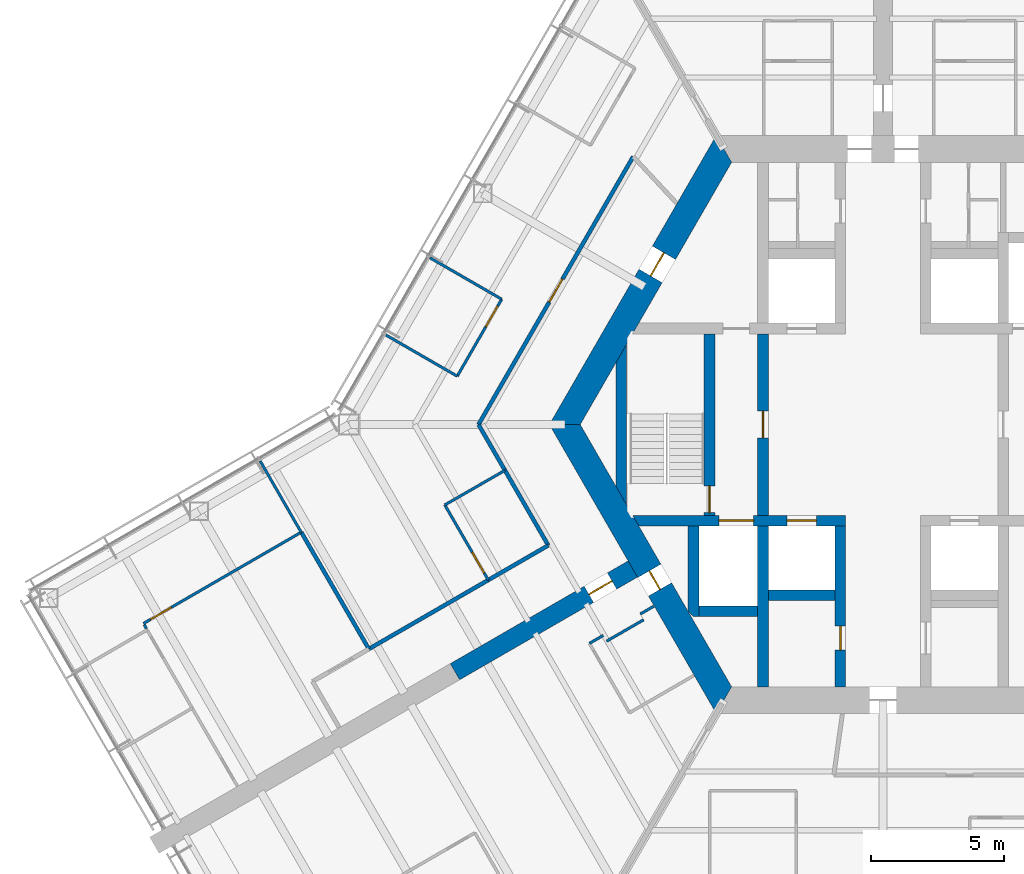
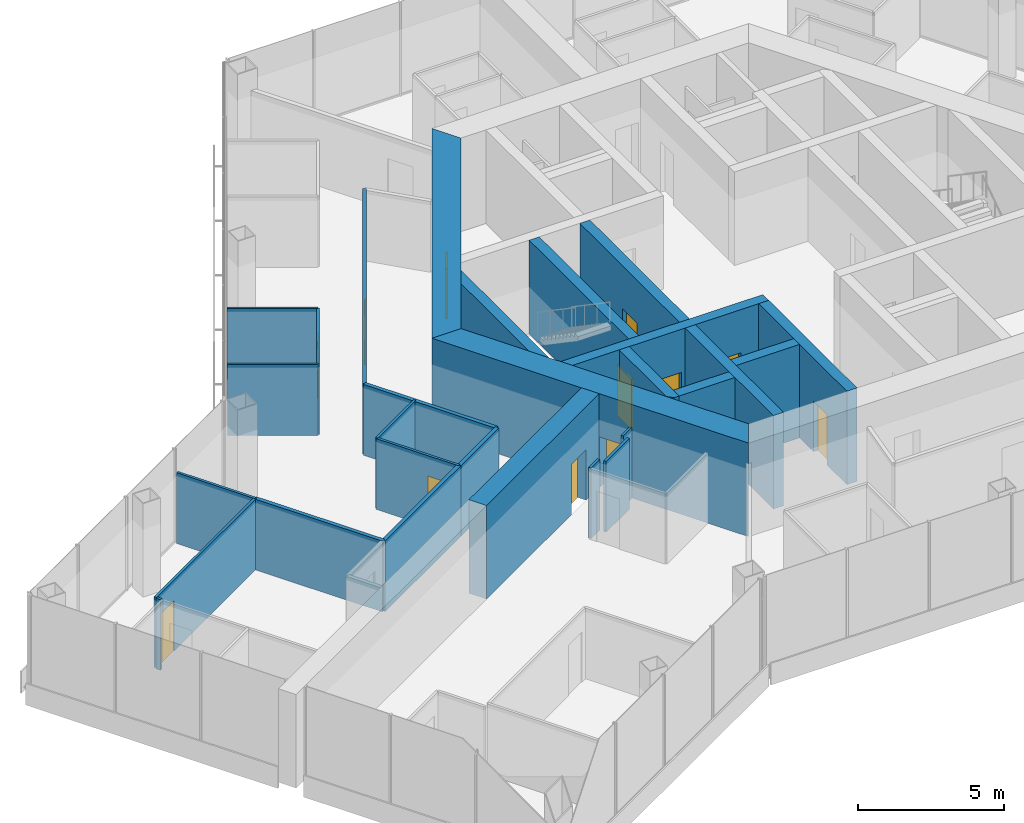
# One storey, part 12 of 19: 29 walls, 12 doors, 12 openings.
"""IFC4 building model written with IfcOpenShell, lengths in metres."""

from ifc_helpers import new_model, si_unit, direction, frame, frame_2d, origin, place, context, subcontext, project, spatial, polyline, rectangle, outline, extrude, material, layer, layer_set, type_object, element, fill, save


model = new_model("IFC4")

# Units and contexts
model_context = context("Model", 3, precision=1e-05, world=origin(), true_north=direction((0.0, 1.0)))
body_context = subcontext(model_context, "Body", "Model", "MODEL_VIEW")
ifc_project = project(units=[si_unit("LENGTHUNIT", "METRE"), si_unit("AREAUNIT", "SQUARE_METRE"), si_unit("VOLUMEUNIT", "CUBIC_METRE"), si_unit("PLANEANGLEUNIT", "RADIAN"), si_unit("MASSUNIT", "GRAM", prefix="KILO")], contexts=[model_context])

# Site, building, storey
site_placement = place(None, origin())
site = spatial("IfcSite", under=ifc_project, at=site_placement, CompositionType="ELEMENT")
building_placement = place(site_placement, origin())
building = spatial("IfcBuilding", under=site, at=building_placement, Name="Kasaneha Research Tower", CompositionType="ELEMENT")
storey_placement = place(building_placement, frame((0.0, 0.0, 164.300048828125)))
storey = spatial("IfcBuildingStorey", under=building, at=storey_placement, Name="L41", CompositionType="ELEMENT", Elevation=164.300048828125)

# Wall, openings, doors
ifc_material_1 = material(Name="Concrete Fc70", Category="concrete")
ifc_layer_1 = layer(ifc_material_1, 0.39990234375)
ifc_layer_set_1 = layer_set([ifc_layer_1], Name="Core internal wall 400 Fc70")
wall_type_1 = type_object("IfcWallType", Name="Core internal wall 400 Fc70", PredefinedType="SHEAR", material=ifc_layer_set_1)
wall_1_placement = place(storey_placement, frame((-9.266357421875, -3.60009765625, 0.0), z_axis=(0.0, 0.0, 1.0), x_axis=(1.0, 0.0, 0.0)))
wall_1 = element("IfcWall", 1, at=wall_1_placement, inside=storey, type_object=wall_type_1, Name="Core wall W2W L41", PredefinedType="SHEAR", context=body_context, shape_type="SweptSolid", body=[
    extrude(outline(polyline([(0.115478515625, -0.199951171875), (3.116455078125, -0.199951171875), (4.41650390625, -0.199951171875), (5.66650390625, -0.199951171875), (6.7666015625, -0.199951171875), (7.866455078125, -0.199951171875), (7.866455078125, 0.199951171875), (6.7666015625, 0.199951171875), (5.66650390625, 0.199951171875), (4.41650390625, 0.199951171875), (3.116455078125, 0.199951171875), (-0.115478515625, 0.199951171875), (0.115478515625, -0.199951171875)])), origin(), (0.0, 0.0, 1.0), 3.89990234375),
])
opening_1_placement = place(wall_1_placement, frame((5.66650390625, 0.0, 0.0)))
opening_1 = element("IfcOpeningElement", 2, at=opening_1_placement, cuts=wall_1, Name="Opening LD-LM3-L41", PredefinedType="OPENING", context=body_context, shape_type="SweptSolid", body=[
    extrude(rectangle(XDim=1.10009765625, YDim=2.10009765625, at=frame_2d((0.550048828125, 1.050048828125))), frame((0.0, 0.2099609375, 0.0), z_axis=(0.0, -1.0, 0.0), x_axis=(1.0, 0.0, 0.0)), (0.0, 0.0, 1.0), 0.419921875),
])
opening_2_placement = place(wall_1_placement, frame((3.116455078125, 0.0, 0.0)))
opening_2 = element("IfcOpeningElement", 3, at=opening_2_placement, cuts=wall_1, Name="Opening LD-FL2-L41", PredefinedType="OPENING", context=body_context, shape_type="SweptSolid", body=[
    extrude(rectangle(XDim=1.300048828125, YDim=2.10009765625, at=frame_2d((0.64990234375, 1.050048828125))), frame((0.0, 0.2099609375, 0.0), z_axis=(0.0, -1.0, 0.0), x_axis=(1.0, 0.0, 0.0)), (0.0, 0.0, 1.0), 0.419921875),
])
ifc_material_2 = material(Name="Steel", Category="steel")
door_type_1 = type_object("IfcDoorType", Name="Lift landing door 1100x2100", OperationType="DOUBLE_DOOR_SLIDING", PredefinedType="DOOR", material=ifc_material_2)
door_1_placement = place(opening_1_placement, origin())
door_1 = element("IfcDoor", 4, at=door_1_placement, inside=storey, type_object=door_type_1, Name="Landing door LM3 LD-LM3-L41", OperationType="DOUBLE_DOOR_SLIDING", OverallHeight=2.10009765625, OverallWidth=1.10009765625, PredefinedType="DOOR", context=body_context, shape_type="SweptSolid", body=[
    extrude(rectangle(XDim=1.10009765625, YDim=2.10009765625, at=frame_2d((0.550048828125, 1.050048828125))), frame((0.0, 0.02490234375, 0.0), z_axis=(0.0, -1.0, 0.0), x_axis=(1.0, 0.0, 0.0)), (0.0, 0.0, 1.0), 0.050048828125),
])
fill(opening_1, door_1)
ifc_material_3 = material(Name="Steel", Category="steel")
door_type_2 = type_object("IfcDoorType", Name="Lift landing door 1300x2100", OperationType="DOUBLE_DOOR_SLIDING", PredefinedType="DOOR", material=ifc_material_3)
door_2_placement = place(opening_2_placement, origin())
door_2 = element("IfcDoor", 5, at=door_2_placement, inside=storey, type_object=door_type_2, Name="Landing door FL2 LD-FL2-L41", OperationType="DOUBLE_DOOR_SLIDING", OverallHeight=2.10009765625, OverallWidth=1.300048828125, PredefinedType="DOOR", context=body_context, shape_type="SweptSolid", body=[
    extrude(rectangle(XDim=1.300048828125, YDim=2.10009765625, at=frame_2d((0.64990234375, 1.050048828125))), frame((0.0, 0.02490234375, 0.0), z_axis=(0.0, -1.0, 0.0), x_axis=(1.0, 0.0, 0.0)), (0.0, 0.0, 1.0), 0.050048828125),
])
fill(opening_2, door_2)

# Wall, opening, door
wall_2_placement = place(storey_placement, frame((-1.60009765625, -3.800048828125, 0.0), z_axis=(0.0, 0.0, 1.0), x_axis=(0.0, -1.0, 0.0)))
wall_2 = element("IfcWall", 6, at=wall_2_placement, inside=storey, type_object=wall_type_1, Name="Core wall CSW L41", PredefinedType="SHEAR", context=body_context, shape_type="SweptSolid", body=[
    extrude(rectangle(XDim=6.02490234375, YDim=0.39990234375, at=frame_2d((3.012451171875, 0.0))), origin(), (0.0, 0.0, 1.0), 3.89990234375),
])
opening_3_placement = place(wall_2_placement, frame((3.75, 0.0, 0.0)))
opening_3 = element("IfcOpeningElement", 7, at=opening_3_placement, cuts=wall_2, Name="Opening L41-D16", PredefinedType="OPENING", context=body_context, shape_type="SweptSolid", body=[
    extrude(rectangle(XDim=0.89990234375, YDim=2.10009765625, at=frame_2d((0.449951171875, 1.050048828125))), frame((0.0, 0.2099609375, 0.0), z_axis=(0.0, -1.0, 0.0), x_axis=(1.0, 0.0, 0.0)), (0.0, 0.0, 1.0), 0.419921875),
])
ifc_material_4 = material(Name="Steel", Category="steel")
door_type_3 = type_object("IfcDoorType", Name="Riser access door FD60 900x2100", OperationType="NOTDEFINED", PredefinedType="DOOR", material=ifc_material_4)
door_3_placement = place(opening_3_placement, origin())
door_3 = element("IfcDoor", 8, at=door_3_placement, inside=storey, type_object=door_type_3, Name="Electrical riser door L41-D16", OperationType="SINGLE_SWING_LEFT", OverallHeight=2.10009765625, OverallWidth=0.89990234375, PredefinedType="DOOR", context=body_context, shape_type="SweptSolid", body=[
    extrude(rectangle(XDim=0.89990234375, YDim=2.10009765625, at=frame_2d((0.449951171875, 1.050048828125))), frame((0.0, 0.02490234375, 0.0), z_axis=(0.0, -1.0, 0.0), x_axis=(1.0, 0.0, 0.0)), (0.0, 0.0, 1.0), 0.050048828125),
])
fill(opening_3, door_3)

wall_3_placement = place(storey_placement, frame((-4.5, -3.39990234375, 0.0), z_axis=(0.0, 0.0, 1.0), x_axis=(0.0, 1.0, 0.0)))
wall_3 = element("IfcWall", 9, at=wall_3_placement, inside=storey, type_object=wall_type_1, Name="Core wall LBW L41", PredefinedType="SHEAR", context=body_context, shape_type="SweptSolid", body=[
    extrude(rectangle(XDim=6.7998046875, YDim=0.39990234375, at=frame_2d((3.39990234375, 0.0))), origin(), (0.0, 0.0, 1.0), 3.89990234375),
])
opening_4_placement = place(wall_3_placement, frame((2.89990234375, 0.0, 0.0)))
opening_4 = element("IfcOpeningElement", 10, at=opening_4_placement, cuts=wall_3, Name="Opening L41-D09", PredefinedType="OPENING", context=body_context, shape_type="SweptSolid", body=[
    extrude(rectangle(XDim=1.0, YDim=2.10009765625, at=frame_2d((0.5, 1.050048828125))), frame((0.0, 0.2099609375, 0.0), z_axis=(0.0, -1.0, 0.0), x_axis=(1.0, 0.0, 0.0)), (0.0, 0.0, 1.0), 0.419921875),
])
ifc_material_5 = material(Name="Steel", Category="steel")
door_type_4 = type_object("IfcDoorType", Name="Specified fire door FD60 1000x2100", OperationType="NOTDEFINED", PredefinedType="DOOR", material=ifc_material_5)
door_4_placement = place(opening_4_placement, origin())
door_4 = element("IfcDoor", 11, at=door_4_placement, inside=storey, type_object=door_type_4, Name="Lift lobby door west L41-D09", OperationType="SINGLE_SWING_LEFT", OverallHeight=2.10009765625, OverallWidth=1.0, PredefinedType="DOOR", context=body_context, shape_type="SweptSolid", body=[
    extrude(rectangle(XDim=1.0, YDim=2.10009765625, at=frame_2d((0.5, 1.050048828125))), frame((0.0, 0.02490234375, 0.0), z_axis=(0.0, -1.0, 0.0), x_axis=(1.0, 0.0, 0.0)), (0.0, 0.0, 1.0), 0.050048828125),
])
fill(opening_4, door_4)

wall_4_placement = place(storey_placement, frame((-6.5, -3.39990234375, 0.0), z_axis=(0.0, 0.0, 1.0), x_axis=(0.0, 1.0, 0.0)))
wall_4 = element("IfcWall", 12, at=wall_4_placement, inside=storey, type_object=wall_type_1, Name="Core wall ANW L41", PredefinedType="SHEAR", context=body_context, shape_type="SweptSolid", body=[
    extrude(rectangle(XDim=6.7998046875, YDim=0.39990234375, at=frame_2d((3.39990234375, 0.0))), origin(), (0.0, 0.0, 1.0), 3.89990234375),
])
opening_5_placement = place(wall_4_placement, frame((0.10009765625, 0.0, 0.0)))
opening_5 = element("IfcOpeningElement", 13, at=opening_5_placement, cuts=wall_4, Name="Opening L41-D11", PredefinedType="OPENING", context=body_context, shape_type="SweptSolid", body=[
    extrude(rectangle(XDim=1.0, YDim=2.10009765625, at=frame_2d((0.5, 1.050048828125))), frame((0.0, 0.2099609375, 0.0), z_axis=(0.0, -1.0, 0.0), x_axis=(1.0, 0.0, 0.0)), (0.0, 0.0, 1.0), 0.419921875),
])
door_5_placement = place(opening_5_placement, origin())
door_5 = element("IfcDoor", 14, at=door_5_placement, inside=storey, type_object=door_type_4, Name="Stair 2 door L41-D11", OperationType="SINGLE_SWING_LEFT", OverallHeight=2.10009765625, OverallWidth=1.0, PredefinedType="DOOR", context=body_context, shape_type="SweptSolid", body=[
    extrude(rectangle(XDim=1.0, YDim=2.10009765625, at=frame_2d((0.5, 1.050048828125))), frame((0.0, 0.02490234375, 0.0), z_axis=(0.0, -1.0, 0.0), x_axis=(1.0, 0.0, 0.0)), (0.0, 0.0, 1.0), 0.050048828125),
])
fill(opening_5, door_5)

# Walls
wall_5_placement = place(storey_placement, frame((-4.5, -3.800048828125, 0.0), z_axis=(0.0, 0.0, 1.0), x_axis=(0.0, -1.0, 0.0)))
element("IfcWall", 15, at=wall_5_placement, inside=storey, type_object=wall_type_1, Name="Core wall SSW L41", PredefinedType="SHEAR", context=body_context, shape_type="SweptSolid", body=[
    extrude(rectangle(XDim=6.02490234375, YDim=0.39990234375, at=frame_2d((3.012451171875, 0.0))), origin(), (0.0, 0.0, 1.0), 3.89990234375),
])
wall_6_placement = place(storey_placement, frame((-4.300048828125, -6.39990234375, 0.0), z_axis=(0.0, 0.0, 1.0), x_axis=(1.0, 0.0, 0.0)))
element("IfcWall", 16, at=wall_6_placement, inside=storey, type_object=wall_type_1, Name="Core wall S1S L41", PredefinedType="SHEAR", context=body_context, shape_type="SweptSolid", body=[
    extrude(rectangle(XDim=2.5, YDim=0.39990234375, at=frame_2d((1.25, 0.0))), origin(), (0.0, 0.0, 1.0), 3.89990234375),
])
wall_7_placement = place(storey_placement, frame((-6.89990234375, -7.0, 0.0), z_axis=(0.0, 0.0, 1.0), x_axis=(1.0, 0.0, 0.0)))
element("IfcWall", 17, at=wall_7_placement, inside=storey, type_object=wall_type_1, Name="Core wall F2S L41", PredefinedType="SHEAR", context=body_context, shape_type="SweptSolid", body=[
    extrude(rectangle(XDim=2.199951171875, YDim=0.39990234375, at=frame_2d((1.10009765625, 0.0))), origin(), (0.0, 0.0, 1.0), 3.89990234375),
])
wall_8_placement = place(storey_placement, frame((-7.10009765625, -3.800048828125, 0.0), z_axis=(0.0, 0.0, 1.0), x_axis=(0.0, -1.0, 0.0)))
element("IfcWall", 18, at=wall_8_placement, inside=storey, type_object=wall_type_1, Name="Core wall F2W L41", PredefinedType="SHEAR", context=body_context, shape_type="SweptSolid", body=[
    extrude(outline(polyline([(0.0, -0.199951171875), (3.205810546875, -0.199951171875), (3.39990234375, 0.0), (3.39990234375, 0.199951171875), (0.0, 0.199951171875), (0.0, -0.199951171875)])), origin(), (0.0, 0.0, 1.0), 3.89990234375),
])
wall_9_placement = place(storey_placement, frame((-9.807861328125, -2.662353515625, 0.0), z_axis=(0.0, 0.0, 1.0), x_axis=(0.0, 1.0, 0.0)))
element("IfcWall", 19, at=wall_9_placement, inside=storey, type_object=wall_type_1, Name="Core wall STW L41", PredefinedType="SHEAR", context=body_context, shape_type="SweptSolid", body=[
    extrude(outline(polyline([(-0.346435546875, -0.199951171875), (5.671142578125, -0.199951171875), (4.978271484375, 0.199951171875), (0.346435546875, 0.199951171875), (-0.346435546875, -0.199951171875)])), origin(), (0.0, 0.0, 1.0), 3.89990234375),
])

# Wall, opening, door
ifc_material_6 = material(Name="Concrete Fc70", Category="concrete")
ifc_layer_2 = layer(ifc_material_6, 1.0)
ifc_layer_set_2 = layer_set([ifc_layer_2], Name="Core wall 1000 Fc70")
wall_type_2 = type_object("IfcWallType", Name="Core wall 1000 Fc70", PredefinedType="SHEAR", material=ifc_layer_set_2)
wall_10_placement = place(storey_placement, frame((-5.961181640625, 10.324951171875, 0.0), z_axis=(0.0, 0.0, 1.0), x_axis=(-0.500004296715, -0.866022923061, 0.0)))
wall_10 = element("IfcWall", 20, at=wall_10_placement, inside=storey, type_object=wall_type_2, Name="Core wall 150 L41", PredefinedType="SHEAR", context=body_context, shape_type="SweptSolid", body=[
    extrude(outline(polyline([(-0.28857421875, -0.5), (4.494140625, -0.5), (5.494140625, -0.5), (12.2109375, -0.5), (11.6337890625, 0.5), (5.494140625, 0.5), (4.494140625, 0.5), (0.28857421875, 0.5), (-0.28857421875, -0.5)])), origin(), (0.0, 0.0, 1.0), 3.89990234375),
])
opening_6_placement = place(wall_10_placement, frame((4.494140625, 0.0, 0.0)))
opening_6 = element("IfcOpeningElement", 21, at=opening_6_placement, cuts=wall_10, Name="Opening L41-D07", PredefinedType="OPENING", context=body_context, shape_type="SweptSolid", body=[
    extrude(rectangle(XDim=1.0, YDim=2.10009765625, at=frame_2d((0.5, 1.050048828125))), frame((0.0, 0.510009765625, 0.0), z_axis=(0.0, -1.0, 0.0), x_axis=(1.0, 0.0, 0.0)), (0.0, 0.0, 1.0), 1.02001953125),
])
ifc_material_7 = material(Name="Steel", Category="steel")
door_type_5 = type_object("IfcDoorType", Name="Fire door FD20 1000x2100", OperationType="NOTDEFINED", PredefinedType="DOOR", material=ifc_material_7)
door_6_placement = place(opening_6_placement, origin())
door_6 = element("IfcDoor", 22, at=door_6_placement, inside=storey, type_object=door_type_5, Name="Vestibule door L41-D07", OperationType="SINGLE_SWING_LEFT", OverallHeight=2.10009765625, OverallWidth=1.0, PredefinedType="DOOR", context=body_context, shape_type="SweptSolid", body=[
    extrude(rectangle(XDim=1.0, YDim=2.10009765625, at=frame_2d((0.5, 1.050048828125))), frame((0.0, 0.02490234375, 0.0), z_axis=(0.0, -1.0, 0.0), x_axis=(1.0, 0.0, 0.0)), (0.0, 0.0, 1.0), 0.050048828125),
])
fill(opening_6, door_6)

wall_11_placement = place(storey_placement, frame((-11.92236328125, 0.0, 0.0), z_axis=(0.0, 0.0, 1.0), x_axis=(0.500004296715, -0.866022923061, 0.0)))
wall_11 = element("IfcWall", 23, at=wall_11_placement, inside=storey, type_object=wall_type_2, Name="Core wall 210 L41", PredefinedType="SHEAR", context=body_context, shape_type="SweptSolid", body=[
    extrude(outline(polyline([(-0.28857421875, -0.5), (6.3310546875, -0.5), (7.131103515625, -0.5), (12.2109375, -0.5), (11.6337890625, 0.5), (7.131103515625, 0.5), (6.3310546875, 0.5), (0.28857421875, 0.5), (-0.28857421875, -0.5)])), origin(), (0.0, 0.0, 1.0), 3.89990234375),
])
opening_7_placement = place(wall_11_placement, frame((6.3310546875, 0.0, 0.0)))
opening_7 = element("IfcOpeningElement", 24, at=opening_7_placement, cuts=wall_11, Name="Opening L41-D06", PredefinedType="OPENING", context=body_context, shape_type="SweptSolid", body=[
    extrude(rectangle(XDim=0.800048828125, YDim=2.10009765625, at=frame_2d((0.39990234375, 1.050048828125))), frame((0.0, 0.510009765625, 0.0), z_axis=(0.0, -1.0, 0.0), x_axis=(1.0, 0.0, 0.0)), (0.0, 0.0, 1.0), 1.02001953125),
])
ifc_material_8 = material(Name="Steel", Category="steel")
door_type_6 = type_object("IfcDoorType", Name="Riser access door FD60 800x2100", OperationType="NOTDEFINED", PredefinedType="DOOR", material=ifc_material_8)
door_7_placement = place(opening_7_placement, origin())
door_7 = element("IfcDoor", 25, at=door_7_placement, inside=storey, type_object=door_type_6, Name="Duct riser door L41-D06", OperationType="SINGLE_SWING_RIGHT", OverallHeight=2.10009765625, OverallWidth=0.800048828125, PredefinedType="DOOR", context=body_context, shape_type="SweptSolid", body=[
    extrude(rectangle(XDim=0.800048828125, YDim=2.10009765625, at=frame_2d((0.39990234375, 1.050048828125))), frame((0.0, 0.02490234375, 0.0), z_axis=(0.0, -1.0, 0.0), x_axis=(1.0, 0.0, 0.0)), (0.0, 0.0, 1.0), 0.050048828125),
])
fill(opening_7, door_7)

# Wall
ifc_material_9 = material(Name="Gypsum board on steel studs, one layer each side", Category="steel")
ifc_layer_3 = layer(ifc_material_9, 0.10009765625)
ifc_layer_set_3 = layer_set([ifc_layer_3], Name="Office partition 100")
wall_type_3 = type_object("IfcWallType", Name="Office partition 100", PredefinedType="PARTITIONING", material=ifc_layer_set_3)
wall_12_placement = place(storey_placement, frame((-23.332275390625, -1.36962890625, 0.0), z_axis=(0.0, 0.0, 1.0), x_axis=(0.498672165233, -0.866790673474, 0.0)))
element("IfcWall", 26, at=wall_12_placement, inside=storey, type_object=wall_type_3, Name="Office partition FBN10 L41", PredefinedType="PARTITIONING", context=body_context, shape_type="SweptSolid", body=[
    extrude(rectangle(XDim=3.080078125, YDim=0.10009765625, at=frame_2d((1.5400390625, 0.0))), origin(), (0.0, 0.0, 1.0), 2.949951171875),
])

# Wall, opening, door
wall_13_placement = place(storey_placement, frame((-21.79443359375, -4.033203125, 0.0), z_axis=(0.0, 0.0, 1.0), x_axis=(-0.865641620016, -0.500664144607, 0.0)))
wall_13 = element("IfcWall", 27, at=wall_13_placement, inside=storey, type_object=wall_type_3, Name="Office partition FBN11 L41", PredefinedType="PARTITIONING", context=body_context, shape_type="SweptSolid", body=[
    extrude(rectangle(XDim=6.828369140625, YDim=0.10009765625, at=frame_2d((3.4140625, 0.0))), origin(), (0.0, 0.0, 1.0), 2.949951171875),
])
opening_8_placement = place(wall_13_placement, frame((5.62841796875, 0.0, 0.0)))
opening_8 = element("IfcOpeningElement", 28, at=opening_8_placement, cuts=wall_13, Name="Opening L41-D37", PredefinedType="OPENING", context=body_context, shape_type="SweptSolid", body=[
    extrude(rectangle(XDim=0.89990234375, YDim=2.10009765625, at=frame_2d((0.449951171875, 1.050048828125))), frame((0.0, 0.06005859375, 0.0), z_axis=(0.0, -1.0, 0.0), x_axis=(1.0, 0.0, 0.0)), (0.0, 0.0, 1.0), 0.1201171875),
])
ifc_material_10 = material(Name="Timber veneer", Category="wood")
door_type_7 = type_object("IfcDoorType", Name="Office door 900x2100", OperationType="SINGLE_SWING_LEFT", PredefinedType="DOOR", material=ifc_material_10)
door_8_placement = place(opening_8_placement, origin())
door_8 = element("IfcDoor", 29, at=door_8_placement, inside=storey, type_object=door_type_7, Name="Manager's office door L41-D37", OperationType="SINGLE_SWING_RIGHT", OverallHeight=2.10009765625, OverallWidth=0.89990234375, PredefinedType="DOOR", context=body_context, shape_type="SweptSolid", body=[
    extrude(rectangle(XDim=0.89990234375, YDim=2.10009765625, at=frame_2d((0.449951171875, 1.050048828125))), frame((0.0, 0.02490234375, 0.0), z_axis=(0.0, -1.0, 0.0), x_axis=(1.0, 0.0, 0.0)), (0.0, 0.0, 1.0), 0.050048828125),
])
fill(opening_8, door_8)

# Walls
wall_14_placement = place(storey_placement, frame((-16.97607421875, 6.247802734375, 0.0), z_axis=(0.0, 0.0, 1.0), x_axis=(0.866023220135, -0.500003782172, 0.0)))
element("IfcWall", 30, at=wall_14_placement, inside=storey, type_object=wall_type_3, Name="Office partition FBN15 L41", PredefinedType="PARTITIONING", context=body_context, shape_type="SweptSolid", body=[
    extrude(rectangle(XDim=3.10498046875, YDim=0.10009765625, at=frame_2d((1.552490234375, 0.0))), origin(), (0.0, 0.0, 1.0), 2.949951171875),
])
wall_15_placement = place(storey_placement, frame((-15.952392578125, 1.810546875, 0.0), z_axis=(0.0, 0.0, 1.0), x_axis=(-0.866029832698, 0.499992328818, 0.0)))
element("IfcWall", 31, at=wall_15_placement, inside=storey, type_object=wall_type_3, Name="Office partition FBN16 L41", PredefinedType="PARTITIONING", context=body_context, shape_type="SweptSolid", body=[
    extrude(rectangle(XDim=3.080078125, YDim=0.10009765625, at=frame_2d((1.5400390625, 0.0))), origin(), (0.0, 0.0, 1.0), 2.949951171875),
])

# Wall, opening, door
wall_16_placement = place(storey_placement, frame((-14.287109375, 4.6953125, 0.0), z_axis=(0.0, 0.0, 1.0), x_axis=(-0.499946633866, -0.866056212544, 0.0)))
wall_16 = element("IfcWall", 32, at=wall_16_placement, inside=storey, type_object=wall_type_3, Name="Office partition FBN17 L41", PredefinedType="PARTITIONING", context=body_context, shape_type="SweptSolid", body=[
    extrude(rectangle(XDim=3.330810546875, YDim=0.10009765625, at=frame_2d((1.66552734375, 0.0))), origin(), (0.0, 0.0, 1.0), 2.949951171875),
])
opening_9_placement = place(wall_16_placement, frame((0.300048828125, 0.0, 0.0)))
opening_9 = element("IfcOpeningElement", 33, at=opening_9_placement, cuts=wall_16, Name="Opening L41-D40", PredefinedType="OPENING", context=body_context, shape_type="SweptSolid", body=[
    extrude(rectangle(XDim=0.89990234375, YDim=2.10009765625, at=frame_2d((0.449951171875, 1.050048828125))), frame((0.0, 0.06005859375, 0.0), z_axis=(0.0, -1.0, 0.0), x_axis=(1.0, 0.0, 0.0)), (0.0, 0.0, 1.0), 0.1201171875),
])
door_9_placement = place(opening_9_placement, origin())
door_9 = element("IfcDoor", 34, at=door_9_placement, inside=storey, type_object=door_type_7, Name="Manager's office door L41-D40", OperationType="SINGLE_SWING_LEFT", OverallHeight=2.10009765625, OverallWidth=0.89990234375, PredefinedType="DOOR", context=body_context, shape_type="SweptSolid", body=[
    extrude(rectangle(XDim=0.89990234375, YDim=2.10009765625, at=frame_2d((0.449951171875, 1.050048828125))), frame((0.0, 0.02490234375, 0.0), z_axis=(0.0, -1.0, 0.0), x_axis=(1.0, 0.0, 0.0)), (0.0, 0.0, 1.0), 0.050048828125),
])
fill(opening_9, door_9)

# Wall
wall_17_placement = place(storey_placement, frame((-16.418212890625, -3.0126953125, 0.0), z_axis=(0.0, 0.0, 1.0), x_axis=(0.866881956025, 0.49851346453, 0.0)))
element("IfcWall", 35, at=wall_17_placement, inside=storey, type_object=wall_type_3, Name="Office partition FBN21 L41", PredefinedType="PARTITIONING", context=body_context, shape_type="SweptSolid", body=[
    extrude(rectangle(XDim=2.60009765625, YDim=0.10009765625, at=frame_2d((1.300048828125, 0.0))), origin(), (0.0, 0.0, 1.0), 2.949951171875),
])

# Wall, opening, door
wall_18_placement = place(storey_placement, frame((-14.789306640625, -5.8251953125, 0.0), z_axis=(0.0, 0.0, 1.0), x_axis=(-0.501178393243, 0.865343988334, 0.0)))
wall_18 = element("IfcWall", 36, at=wall_18_placement, inside=storey, type_object=wall_type_3, Name="Office partition FBN22 L41", PredefinedType="PARTITIONING", context=body_context, shape_type="SweptSolid", body=[
    extrude(rectangle(XDim=3.250244140625, YDim=0.10009765625, at=frame_2d((1.625, 0.0))), origin(), (0.0, 0.0, 1.0), 2.949951171875),
])
opening_10_placement = place(wall_18_placement, frame((0.300048828125, 0.0, 0.0)))
opening_10 = element("IfcOpeningElement", 37, at=opening_10_placement, cuts=wall_18, Name="Opening L41-D42", PredefinedType="OPENING", context=body_context, shape_type="SweptSolid", body=[
    extrude(rectangle(XDim=0.89990234375, YDim=2.10009765625, at=frame_2d((0.449951171875, 1.050048828125))), frame((0.0, 0.06005859375, 0.0), z_axis=(0.0, -1.0, 0.0), x_axis=(1.0, 0.0, 0.0)), (0.0, 0.0, 1.0), 0.1201171875),
])
door_10_placement = place(opening_10_placement, origin())
door_10 = element("IfcDoor", 38, at=door_10_placement, inside=storey, type_object=door_type_7, Name="Document store door L41-D42", OperationType="SINGLE_SWING_LEFT", OverallHeight=2.10009765625, OverallWidth=0.89990234375, PredefinedType="DOOR", context=body_context, shape_type="SweptSolid", body=[
    extrude(rectangle(XDim=0.89990234375, YDim=2.10009765625, at=frame_2d((0.449951171875, 1.050048828125))), frame((0.0, 0.02490234375, 0.0), z_axis=(0.0, -1.0, 0.0), x_axis=(1.0, 0.0, 0.0)), (0.0, 0.0, 1.0), 0.050048828125),
])
fill(opening_10, door_10)

# Walls
wall_19_placement = place(storey_placement, frame((-10.99951171875, -8.197998046875, 0.0), z_axis=(0.0, 0.0, 1.0), x_axis=(0.866131372301, 0.499816412211, 0.0)))
element("IfcWall", 39, at=wall_19_placement, inside=storey, type_object=wall_type_3, Name="Office partition FBS01 L41", PredefinedType="PARTITIONING", context=body_context, shape_type="SweptSolid", body=[
    extrude(rectangle(XDim=0.599853515625, YDim=0.10009765625, at=frame_2d((0.2998046875, 0.0))), origin(), (0.0, 0.0, 1.0), 2.949951171875),
])
wall_20_placement = place(storey_placement, frame((-10.35498046875, -8.114501953125, 0.0), z_axis=(0.0, 0.0, 1.0), x_axis=(0.866094119867, 0.499880961361, 0.0)))
element("IfcWall", 40, at=wall_20_placement, inside=storey, type_object=wall_type_3, Name="Office partition FBS02 L41", PredefinedType="PARTITIONING", context=body_context, shape_type="SweptSolid", body=[
    extrude(rectangle(XDim=1.60009765625, YDim=0.10009765625, at=frame_2d((0.800048828125, 0.0))), origin(), (0.0, 0.0, 1.0), 2.949951171875),
])
wall_21_placement = place(storey_placement, frame((-9.09423828125, -7.09814453125, 0.0), z_axis=(0.0, 0.0, 1.0), x_axis=(0.865954211699, 0.50012328804, 0.0)))
element("IfcWall", 41, at=wall_21_placement, inside=storey, type_object=wall_type_3, Name="Office partition FBS04 L41", PredefinedType="PARTITIONING", context=body_context, shape_type="SweptSolid", body=[
    extrude(rectangle(XDim=0.579833984375, YDim=0.10009765625, at=frame_2d((0.2900390625, 0.0))), origin(), (0.0, 0.0, 1.0), 2.949951171875),
])
wall_22_placement = place(storey_placement, frame((-27.680419921875, -7.495361328125, 0.0), z_axis=(0.0, 0.0, 1.0), x_axis=(0.498212524781, -0.867054946443, 0.0)))
element("IfcWall", 42, at=wall_22_placement, inside=storey, type_object=wall_type_3, Name="Office partition closer PT5 L41", PredefinedType="PARTITIONING", context=body_context, shape_type="SweptSolid", body=[
    extrude(rectangle(XDim=0.177490234375, YDim=0.10009765625, at=frame_2d((0.0888671875, 0.0))), origin(), (0.0, 0.0, 1.0), 2.949951171875),
])

# Wall, opening, door
ifc_material_11 = material(Name="Concrete Fc70", Category="concrete")
ifc_layer_4 = layer(ifc_material_11, 0.699951171875)
ifc_layer_set_4 = layer_set([ifc_layer_4], Name="Spine wall 700 Fc70")
wall_type_4 = type_object("IfcWallType", Name="Spine wall 700 Fc70", PredefinedType="SHEAR", material=ifc_layer_set_4)
wall_23_placement = place(storey_placement, frame((-9.374755859375, -5.41259765625, 0.0), z_axis=(0.0, 0.0, 1.0), x_axis=(-0.866032377459, -0.499987921047, 0.0)))
wall_23 = element("IfcWall", 43, at=wall_23_placement, inside=storey, type_object=wall_type_4, Name="Spine wall B L41", PredefinedType="SHEAR", context=body_context, shape_type="SweptSolid", body=[
    extrude(rectangle(XDim=7.695556640625, YDim=0.699951171875, at=frame_2d((3.84765625, 0.0))), origin(), (0.0, 0.0, 1.0), 3.89990234375),
])
opening_11_placement = place(wall_23_placement, frame((0.89990234375, 0.0, 0.0)))
opening_11 = element("IfcOpeningElement", 44, at=opening_11_placement, cuts=wall_23, Name="Opening L41-D18", PredefinedType="OPENING", context=body_context, shape_type="SweptSolid", body=[
    extrude(rectangle(XDim=1.0, YDim=2.10009765625, at=frame_2d((0.5, 1.050048828125))), frame((0.0, 0.35986328125, 0.0), z_axis=(0.0, -1.0, 0.0), x_axis=(1.0, 0.0, 0.0)), (0.0, 0.0, 1.0), 0.719970703125),
])
door_11_placement = place(opening_11_placement, origin())
door_11 = element("IfcDoor", 45, at=door_11_placement, inside=storey, type_object=door_type_4, Name="Spine doorway B L41-D18", OperationType="SINGLE_SWING_LEFT", OverallHeight=2.10009765625, OverallWidth=1.0, PredefinedType="DOOR", context=body_context, shape_type="SweptSolid", body=[
    extrude(rectangle(XDim=1.0, YDim=2.10009765625, at=frame_2d((0.5, 1.050048828125))), frame((0.0, 0.02490234375, 0.0), z_axis=(0.0, -1.0, 0.0), x_axis=(1.0, 0.0, 0.0)), (0.0, 0.0, 1.0), 0.050048828125),
])
fill(opening_11, door_11)

# Walls
ifc_material_12 = material(Name="Gypsum board on steel studs, two layers each side", Category="steel")
ifc_layer_5 = layer(ifc_material_12, 0.14990234375)
ifc_layer_set_5 = layer_set([ifc_layer_5], Name="Suite partition 150")
wall_type_5 = type_object("IfcWallType", Name="Suite partition 150", PredefinedType="PARTITIONING", material=ifc_layer_set_5)
wall_24_placement = place(storey_placement, frame((-14.797607421875, -5.829833984375, 0.0), z_axis=(0.0, 0.0, 1.0), x_axis=(0.866037327638, 0.49997934671, 0.0)))
element("IfcWall", 46, at=wall_24_placement, inside=storey, type_object=wall_type_5, Name="Suite partition FBN01 L41", PredefinedType="PARTITIONING", context=body_context, shape_type="SweptSolid", body=[
    extrude(rectangle(XDim=2.60498046875, YDim=0.14990234375, at=frame_2d((1.302490234375, 0.0))), origin(), (0.0, 0.0, 1.0), 2.949951171875),
])
wall_25_placement = place(storey_placement, frame((-12.54150390625, -4.52734375, 0.0), z_axis=(0.0, 0.0, 1.0), x_axis=(-0.50005140263, 0.865995724428, 0.0)))
element("IfcWall", 47, at=wall_25_placement, inside=storey, type_object=wall_type_5, Name="Suite partition FBN02 L41", PredefinedType="PARTITIONING", context=body_context, shape_type="SweptSolid", body=[
    extrude(rectangle(XDim=3.255126953125, YDim=0.14990234375, at=frame_2d((1.62744140625, 0.0))), origin(), (0.0, 0.0, 1.0), 2.949951171875),
])
wall_26_placement = place(storey_placement, frame((-19.271484375, -8.412841796875, 0.0), z_axis=(0.0, 0.0, 1.0), x_axis=(0.866037119867, 0.4999797066, 0.0)))
element("IfcWall", 48, at=wall_26_placement, inside=storey, type_object=wall_type_5, Name="Suite partition FBN03 L41", PredefinedType="PARTITIONING", context=body_context, shape_type="SweptSolid", body=[
    extrude(rectangle(XDim=5.175537109375, YDim=0.14990234375, at=frame_2d((2.587890625, 0.0))), origin(), (0.0, 0.0, 1.0), 2.949951171875),
])

# Wall, opening, door
wall_27_placement = place(storey_placement, frame((-15.155517578125, 0.0, 0.0), z_axis=(0.0, 0.0, 1.0), x_axis=(0.500012970505, 0.86601791513, 0.0)))
wall_27 = element("IfcWall", 49, at=wall_27_placement, inside=storey, type_object=wall_type_5, Name="Suite partition FBN04 L41", PredefinedType="PARTITIONING", context=body_context, shape_type="SweptSolid", body=[
    extrude(rectangle(XDim=11.590576171875, YDim=0.14990234375, at=frame_2d((5.79541015625, 0.0))), origin(), (0.0, 0.0, 1.0), 2.949951171875),
])
opening_12_placement = place(wall_27_placement, frame((5.295166015625, 0.0, 0.0)))
opening_12 = element("IfcOpeningElement", 50, at=opening_12_placement, cuts=wall_27, Name="Opening L41-D35", PredefinedType="OPENING", context=body_context, shape_type="SweptSolid", body=[
    extrude(rectangle(XDim=1.0, YDim=2.10009765625, at=frame_2d((0.5, 1.050048828125))), frame((0.0, 0.0849609375, 0.0), z_axis=(0.0, -1.0, 0.0), x_axis=(1.0, 0.0, 0.0)), (0.0, 0.0, 1.0), 0.169921875),
])
ifc_material_13 = material(Name="Steel", Category="steel")
door_type_8 = type_object("IfcDoorType", Name="Suite entrance door FD60 1000x2100", OperationType="NOTDEFINED", PredefinedType="DOOR", material=ifc_material_13)
door_12_placement = place(opening_12_placement, origin())
door_12 = element("IfcDoor", 51, at=door_12_placement, inside=storey, type_object=door_type_8, Name="Suite entrance door L41-D35", OperationType="SINGLE_SWING_RIGHT", OverallHeight=2.10009765625, OverallWidth=1.0, PredefinedType="DOOR", context=body_context, shape_type="SweptSolid", body=[
    extrude(rectangle(XDim=1.0, YDim=2.10009765625, at=frame_2d((0.5, 1.050048828125))), frame((0.0, 0.02490234375, 0.0), z_axis=(0.0, -1.0, 0.0), x_axis=(1.0, 0.0, 0.0)), (0.0, 0.0, 1.0), 0.050048828125),
])
fill(opening_12, door_12)

# Walls
wall_28_placement = place(storey_placement, frame((-14.164306640625, -1.716552734375, 0.0), z_axis=(0.0, 0.0, 1.0), x_axis=(-0.500060066726, 0.865990721466, 0.0)))
element("IfcWall", 52, at=wall_28_placement, inside=storey, type_object=wall_type_5, Name="Suite partition FBN05 L41", PredefinedType="PARTITIONING", context=body_context, shape_type="SweptSolid", body=[
    extrude(rectangle(XDim=1.982177734375, YDim=0.14990234375, at=frame_2d((0.9912109375, 0.0))), origin(), (0.0, 0.0, 1.0), 2.949951171875),
])
wall_29_placement = place(storey_placement, frame((-19.26318359375, -8.407470703125, 0.0), z_axis=(0.0, 0.0, 1.0), x_axis=(-0.500798224572, 0.865564057864, 0.0)))
element("IfcWall", 53, at=wall_29_placement, inside=storey, type_object=wall_type_5, Name="Suite partition FBN23 L41", PredefinedType="PARTITIONING", context=body_context, shape_type="SweptSolid", body=[
    extrude(rectangle(XDim=5.053955078125, YDim=0.14990234375, at=frame_2d((2.52685546875, 0.0))), origin(), (0.0, 0.0, 1.0), 2.949951171875),
])

save(model, "model.ifc")
